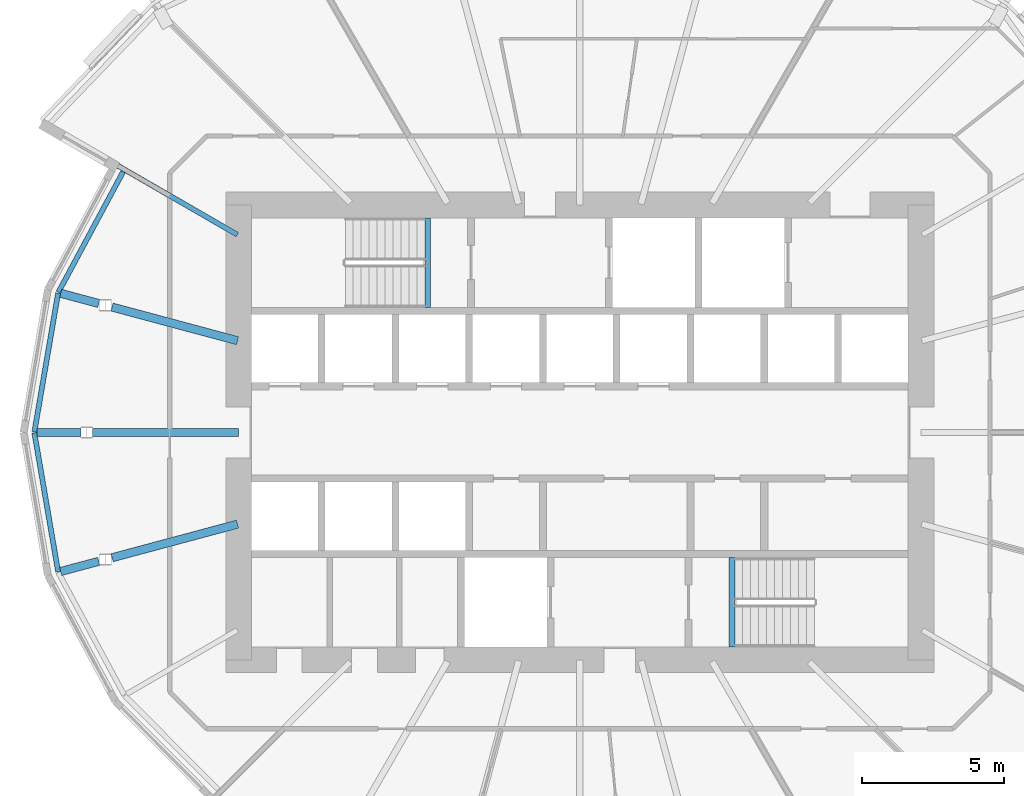
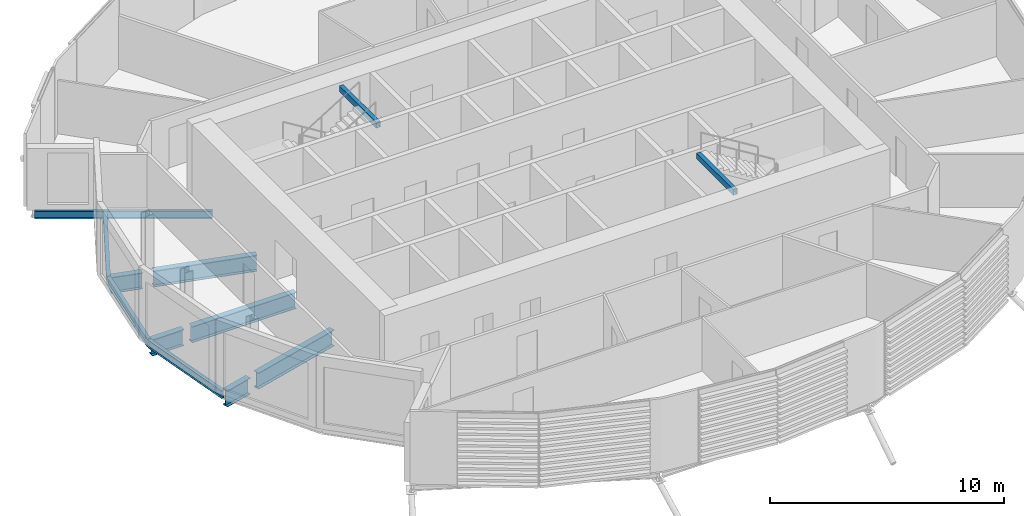
# One storey, part 5 of 37: 12 beams.
"""IFC4 building model written with IfcOpenShell, lengths in metres."""

import ifcopenshell
import ifcopenshell.guid

model = None  # the IFC model being written
_history = None  # IfcOwnerHistory: only IFC2X3 demands one
_inside = {}  # id of a spatial element -> (the spatial element, [elements in it])
_under = {}  # id of a project, library or spatial element -> (it, [spatial elements below it])
_declared = {}  # id of a project -> (the project, [libraries it declares])
_typed = {}  # id of a type object -> (the type object, [elements of that type])
_made_of = {}  # id of a material, layer set ... -> (it, [elements and type objects made of it])


def new_model(schema):
    """Start an empty IFC model of exactly this schema.

    Asked for "IFC4X3", IfcOpenShell would pick the latest addendum, in which some entities
    have other attributes; the version numbers below select the first issue.
    IFC2X3 requires an IfcOwnerHistory on every rooted entity: one is made here for all.
    """
    global model, _history
    if schema == "IFC4X3":
        model = ifcopenshell.file(schema_version=(4, 3, 0, 0))
    else:
        model = ifcopenshell.file(schema=schema)
    _inside.clear()
    _under.clear()
    _declared.clear()
    _typed.clear()
    _made_of.clear()
    _history = None
    if model.schema == "IFC2X3":
        org = make("IfcOrganization", Name="unknown")
        user = make(
            "IfcPersonAndOrganization",
            ThePerson=make("IfcPerson", FamilyName="unknown"),
            TheOrganization=org,
        )
        app = make(
            "IfcApplication",
            ApplicationDeveloper=org,
            Version="unknown",
            ApplicationFullName="unknown",
            ApplicationIdentifier="unknown",
        )
        _history = make(
            "IfcOwnerHistory",
            OwningUser=user,
            OwningApplication=app,
            ChangeAction="ADDED",
            CreationDate=0,
        )
    return model


def make(cls, **values):
    """One entity of the class cls with the attributes given. An attribute that is None is left unset."""
    return model.create_entity(
        cls, **{name: value for name, value in values.items() if value is not None}
    )


def rooted(cls, **values):
    """An entity with a GlobalId (a new one), such as an element, a storey or a relation."""
    return make(cls, GlobalId=ifcopenshell.guid.new(), OwnerHistory=_history, **values)


def si_unit(unit_type, name, prefix=None):
    """IfcSIUnit, for example si_unit("LENGTHUNIT", "METRE", prefix="MILLI")."""
    return make("IfcSIUnit", UnitType=unit_type, Prefix=prefix, Name=name)


def assignment(units):
    """IfcUnitAssignment: the units of a project."""
    return None if units is None else make("IfcUnitAssignment", Units=units)


def point(xyz):
    """IfcCartesianPoint."""
    return None if xyz is None else make("IfcCartesianPoint", Coordinates=xyz)


def direction(xyz):
    """IfcDirection."""
    return None if xyz is None else make("IfcDirection", DirectionRatios=xyz)


def frame(location, z_axis=None, x_axis=None):
    """IfcAxis2Placement3D, a coordinate frame: its origin and axes. An axis left out is left unset."""
    return make(
        "IfcAxis2Placement3D",
        Location=point(location),
        Axis=direction(z_axis),
        RefDirection=direction(x_axis),
    )


def frame_2d(location, x_axis=None):
    """IfcAxis2Placement2D, a coordinate frame in the plane: its origin and x axis."""
    return make(
        "IfcAxis2Placement2D", Location=point(location), RefDirection=direction(x_axis)
    )


def origin():
    """The frame at (0, 0, 0) with its axes left unset."""
    return frame((0.0, 0.0, 0.0))


def origin_2d():
    """The frame at (0, 0) in the plane with its x axis left unset."""
    return frame_2d((0.0, 0.0))


def place(relative_to, where):
    """IfcLocalPlacement: puts the frame where relative to a parent placement (None: the world)."""
    return make(
        "IfcLocalPlacement", PlacementRelTo=relative_to, RelativePlacement=where
    )


def context(
    kind, dimensions, precision=None, world=None, true_north=None, identifier=None
):
    """IfcGeometricRepresentationContext, for example the 3D "Model" context."""
    return make(
        "IfcGeometricRepresentationContext",
        ContextIdentifier=identifier,
        ContextType=kind,
        CoordinateSpaceDimension=dimensions,
        Precision=precision,
        WorldCoordinateSystem=world,
        TrueNorth=true_north,
    )


def subcontext(parent, identifier, kind, view, scale=None):
    """IfcGeometricRepresentationSubContext, for example "Body" below "Model"."""
    return make(
        "IfcGeometricRepresentationSubContext",
        ContextIdentifier=identifier,
        ContextType=kind,
        ParentContext=parent,
        TargetScale=scale,
        TargetView=view,
    )


def project(units=None, contexts=None):
    """IfcProject with its units and contexts."""
    return rooted(
        "IfcProject",
        Name="project",
        RepresentationContexts=contexts,
        UnitsInContext=assignment(units),
    )


def spatial(cls, under=None, at=None, **own):
    """A site, building, storey or space (cls), placed at a placement, below another one or the project."""
    s = rooted(cls, ObjectPlacement=at, **own)
    if under is not None:
        _under.setdefault(under.id(), (under, []))[1].append(s)
    return s


def profile(cls, at=None, kind="AREA", **sizes):
    """A parametric profile (cls). Its sizes go by their IFC names, for example OverallWidth=200.0."""
    return make(cls, ProfileType=kind, Position=at, **sizes)


def hollow_rectangle(**sizes):
    """IfcRectangleHollowProfileDef."""
    return profile("IfcRectangleHollowProfileDef", **sizes)


def i_section(**sizes):
    """IfcIShapeProfileDef."""
    return profile("IfcIShapeProfileDef", **sizes)


def extrude(swept, where, along, depth):
    """IfcExtrudedAreaSolid: the profile swept, set in the frame where, extruded along a direction by depth."""
    return make(
        "IfcExtrudedAreaSolid",
        SweptArea=swept,
        Position=where,
        ExtrudedDirection=direction(along),
        Depth=depth,
    )


def shape(context_of_items, identifier, shape_type, items):
    """IfcShapeRepresentation: the items that make up one representation, for example the "Body"."""
    return make(
        "IfcShapeRepresentation",
        ContextOfItems=context_of_items,
        RepresentationIdentifier=identifier,
        RepresentationType=shape_type,
        Items=items,
    )


def material(Name=None, Category=None):
    """IfcMaterial."""
    return make("IfcMaterial", Name=Name, Category=Category)


def material_profile(
    of_material, cross_section, Name=None, Category=None, Priority=None
):
    """IfcMaterialProfile: a cross section and its material."""
    return make(
        "IfcMaterialProfile",
        Name=Name,
        Material=of_material,
        Profile=cross_section,
        Priority=Priority,
        Category=Category,
    )


def profile_set(profiles, Name=None, composite=None):
    """IfcMaterialProfileSet."""
    return make(
        "IfcMaterialProfileSet",
        Name=Name,
        MaterialProfiles=profiles,
        CompositeProfile=composite,
    )


def made_of(thing, what):
    """Note that an element or type object is made of a material, layer set ...; save() writes the relation."""
    if what is not None:
        _made_of.setdefault(what.id(), (what, []))[1].append(thing)
    return thing


def type_object(cls, material=None, **own):
    """A type object (cls), such as IfcWallType, which elements share."""
    return made_of(rooted(cls, **own), material)


def element(
    cls,
    number,
    at=None,
    inside=None,
    cuts=None,
    type_object=None,
    material=None,
    context=None,
    identifier="Body",
    shape_type=None,
    held_by="IfcProductDefinitionShape",
    body=None,
    shapes=None,
    **own,
):
    """One element of the class cls, such as IfcWall. Its Tag is "e" and its number.

    at: its placement. inside: the storey or other place that contains it. cuts: it is an
    opening in that element (IfcRelVoidsElement). A single representation is given by context,
    identifier, shape_type and body (its items); several are given by shapes. held_by: the class
    of the entity that holds the representations. save() writes the other relations.
    """
    e = rooted(cls, Tag="e%d" % number, ObjectPlacement=at, **own)
    if body is not None:
        shapes = [shape(context, identifier, shape_type, body)]
    if shapes is not None:
        e.Representation = make(held_by, Representations=shapes)
    if inside is not None:
        _inside.setdefault(inside.id(), (inside, []))[1].append(e)
    if cuts is not None:
        rooted(
            "IfcRelVoidsElement", RelatingBuildingElement=cuts, RelatedOpeningElement=e
        )
    if type_object is not None:
        _typed.setdefault(type_object.id(), (type_object, []))[1].append(e)
    return made_of(e, material)


def aggregate(whole, parts):
    """IfcRelAggregates: a whole, such as a stair, and the parts it consists of."""
    return rooted("IfcRelAggregates", RelatingObject=whole, RelatedObjects=parts)


def save(model, path):
    """Write the relations noted so far, then the file.

    IfcRelAggregates (storeys below a building ...), IfcRelContainedInSpatialStructure (elements
    in a storey), IfcRelDefinesByType, IfcRelAssociatesMaterial and IfcRelDeclares: one each for
    every whole, place, type object, material and project.
    """
    for whole, parts in _under.values():
        aggregate(whole, parts)
    for where, things in _inside.values():
        rooted(
            "IfcRelContainedInSpatialStructure",
            RelatedElements=things,
            RelatingStructure=where,
        )
    for kind, things in _typed.values():
        rooted("IfcRelDefinesByType", RelatedObjects=things, RelatingType=kind)
    for what, things in _made_of.values():
        rooted("IfcRelAssociatesMaterial", RelatedObjects=things, RelatingMaterial=what)
    for by, libraries in _declared.values():
        rooted("IfcRelDeclares", RelatingContext=by, RelatedDefinitions=libraries)
    model.write(path)


model = new_model("IFC4")

# Units and contexts
model_context = context("Model", 3, precision=1e-05, world=origin(), true_north=direction((0.0, 1.0)))
body_context = subcontext(model_context, "Body", "Model", "MODEL_VIEW")
ifc_project = project(units=[si_unit("LENGTHUNIT", "METRE"), si_unit("AREAUNIT", "SQUARE_METRE"), si_unit("VOLUMEUNIT", "CUBIC_METRE"), si_unit("PLANEANGLEUNIT", "RADIAN"), si_unit("MASSUNIT", "GRAM", prefix="KILO")], contexts=[model_context])

# Site, building, storey
site_placement = place(None, origin())
site = spatial("IfcSite", under=ifc_project, at=site_placement, CompositionType="ELEMENT")
building_placement = place(site_placement, origin())
building = spatial("IfcBuilding", under=site, at=building_placement, Name="Rimbun Link Towers", CompositionType="ELEMENT")
storey_placement = place(building_placement, frame((0.0, 0.0, 45.199951171875)))
storey = spatial("IfcBuildingStorey", under=building, at=storey_placement, Name="L10", CompositionType="ELEMENT", Elevation=45.199951171875)

# Beams
ifc_material_1 = material(Name="Steel S355J2", Category="steel")
ifc_material_profile_1 = material_profile(ifc_material_1, hollow_rectangle(XDim=0.199951171875, YDim=0.300048828125, WallThickness=0.011962890625, at=origin_2d()), Name="BOX 300x200x12")
ifc_profile_set_1 = profile_set([ifc_material_profile_1], Name="Steel S355J2")
beam_type_1 = type_object("IfcBeamType", Name="Stair trimmer beam BOX 300x200x12", PredefinedType="BEAM", material=ifc_profile_set_1)
for number, where, z_axis, x_axis, name in (
    (1, (-37.10009765625, 7.550048828125, 3.489990234375), (0.0, -1.0, 0.0), (1.0, 0.0, 0.0), "L10 ST1 stair beam 1"),
    (2, (-26.39990234375, -7.550048828125, 3.489990234375), (0.0, 1.0, 0.0), (-1.0, 0.0, 0.0), "L10 ST2 stair beam 1"),
):
    element("IfcBeam", number, at=place(storey_placement, frame(where, z_axis=z_axis, x_axis=x_axis)), inside=storey, type_object=beam_type_1, Name=name, PredefinedType="BEAM", context=body_context, shape_type="SweptSolid", body=[
        extrude(hollow_rectangle(XDim=0.199951171875, YDim=0.300048828125, WallThickness=0.011962890625, at=origin_2d()), origin(), (0.0, 0.0, 1.0), 3.150146484375),
    ])
ifc_material_2 = material(Name="Steel S355J2", Category="steel")
ifc_material_profile_2 = material_profile(ifc_material_2, i_section(OverallWidth=0.177978515625, OverallDepth=0.406494140625, WebThickness=0.0078125, FlangeThickness=0.0126953125, at=origin_2d()), Name="UB 406x178x60")
ifc_profile_set_2 = profile_set([ifc_material_profile_2], Name="Steel S355J2")
beam_type_2 = type_object("IfcBeamType", Name="UB 406x178x60", PredefinedType="BEAM", material=ifc_profile_set_2)
beam_1_placement = place(storey_placement, frame((-43.79541015625, 6.954345703125, -0.363037109375), z_axis=(-0.866024000778, 0.50000243007, 0.0), x_axis=(-0.50000243007, -0.866024000778, 0.0)))
element("IfcBeam", 3, at=beam_1_placement, inside=storey, type_object=beam_type_2, Name="Radial beam T1 L10 10", PredefinedType="BEAM", context=body_context, shape_type="SweptSolid", body=[
    extrude(i_section(OverallWidth=0.177978515625, OverallDepth=0.406494140625, WebThickness=0.0078125, FlangeThickness=0.0126953125, at=origin_2d()), origin(), (0.0, 0.0, 1.0), 7.5986328125),
])
beam_2_placement = place(storey_placement, frame((-47.814208984375, 9.167724609375, -0.363037109375), z_axis=(-0.473249180434, -0.880928608469, 0.0), x_axis=(0.880928608469, -0.473249180434, 0.0)))
element("IfcBeam", 4, at=beam_2_placement, inside=storey, type_object=beam_type_2, Name="Edge beam T1 L10 10 recess", PredefinedType="BEAM", context=body_context, shape_type="SweptSolid", body=[
    extrude(i_section(OverallWidth=0.177978515625, OverallDepth=0.406494140625, WebThickness=0.0078125, FlangeThickness=0.0126953125, at=origin_2d()), origin(), (0.0, 0.0, 1.0), 4.810546875),
])
for number, where, z_axis, x_axis, name in (
    (5, (-50.1005859375, 4.901123046875, -0.363037109375), (-0.168479758533, -0.985705113594, 0.0), (0.985705113594, -0.168479758533, 0.0), "Edge beam T1 L10 11 recess"),
    (6, (-50.935546875, -0.01611328125, -0.363037109375), (0.168479758533, -0.985705113594, 0.0), (0.985705113594, 0.168479758533, 0.0), "Edge beam T1 L10 12 recess"),
):
    element("IfcBeam", number, at=place(storey_placement, frame(where, z_axis=z_axis, x_axis=x_axis)), inside=storey, type_object=beam_type_2, Name=name, PredefinedType="BEAM", context=body_context, shape_type="SweptSolid", body=[
        extrude(i_section(OverallWidth=0.177978515625, OverallDepth=0.406494140625, WebThickness=0.0078125, FlangeThickness=0.0126953125, at=origin_2d()), origin(), (0.0, 0.0, 1.0), 4.955810546875),
    ])
ifc_material_3 = material(Name="Steel S355J2", Category="steel")
ifc_material_profile_3 = material_profile(ifc_material_3, i_section(OverallWidth=0.29248046875, OverallDepth=0.8408203125, WebThickness=0.0126953125, FlangeThickness=0.021728515625, at=origin_2d()), Name="UB 838x292x194")
ifc_profile_set_3 = profile_set([ifc_material_profile_3], Name="Steel S355J2")
beam_type_3 = type_object("IfcBeamType", Name="UB 838x292x194", PredefinedType="BEAM", material=ifc_profile_set_3)
beam_3_placement = place(storey_placement, frame((-43.788818359375, 3.225830078125, -0.580322265625), z_axis=(-0.965925632612, 0.258819767915, 0.0), x_axis=(-0.258819767915, -0.965925632612, 0.0)))
element("IfcBeam", 7, at=beam_3_placement, inside=storey, type_object=beam_type_3, Name="Radial beam T1 L10 11", PredefinedType="BEAM", context=body_context, shape_type="SweptSolid", body=[
    extrude(i_section(OverallWidth=0.29248046875, OverallDepth=0.8408203125, WebThickness=0.0126953125, FlangeThickness=0.021728515625, at=origin_2d()), origin(), (0.0, 0.0, 1.0), 4.5693359375),
])
beam_4_placement = place(storey_placement, frame((-43.7509765625, 0.0, -0.580322265625), z_axis=(-1.0, 0.0, 0.0), x_axis=(0.0, -1.0, 0.0)))
element("IfcBeam", 8, at=beam_4_placement, inside=storey, type_object=beam_type_3, Name="Radial beam T1 L10 12", PredefinedType="BEAM", context=body_context, shape_type="SweptSolid", body=[
    extrude(i_section(OverallWidth=0.29248046875, OverallDepth=0.8408203125, WebThickness=0.0126953125, FlangeThickness=0.021728515625, at=origin_2d()), origin(), (0.0, 0.0, 1.0), 5.137939453125),
])
beam_5_placement = place(storey_placement, frame((-43.788818359375, -3.225830078125, -0.580322265625), z_axis=(-0.965925632612, -0.258819767915, 0.0), x_axis=(0.258819767915, -0.965925632612, 0.0)))
element("IfcBeam", 9, at=beam_5_placement, inside=storey, type_object=beam_type_3, Name="Radial beam T1 L10 13", PredefinedType="BEAM", context=body_context, shape_type="SweptSolid", body=[
    extrude(i_section(OverallWidth=0.29248046875, OverallDepth=0.8408203125, WebThickness=0.0126953125, FlangeThickness=0.021728515625, at=origin_2d()), origin(), (0.0, 0.0, 1.0), 4.5693359375),
])
beam_6_placement = place(storey_placement, frame((-48.673828125, 4.53466796875, -0.580322265625), z_axis=(-0.96590632408, 0.258891817373, 0.0), x_axis=(-0.258891817373, -0.96590632408, 0.0)))
element("IfcBeam", 10, at=beam_6_placement, inside=storey, type_object=beam_type_3, Name="Radial beam T1 L10 11 outer cantilever", PredefinedType="BEAM", context=body_context, shape_type="SweptSolid", body=[
    extrude(i_section(OverallWidth=0.29248046875, OverallDepth=0.8408203125, WebThickness=0.0126953125, FlangeThickness=0.021728515625, at=origin_2d()), origin(), (0.0, 0.0, 1.0), 1.38427734375),
])
beam_7_placement = place(storey_placement, frame((-49.288818359375, 0.0, -0.580322265625), z_axis=(-1.0, 0.0, 0.0), x_axis=(0.0, -1.0, 0.0)))
element("IfcBeam", 11, at=beam_7_placement, inside=storey, type_object=beam_type_3, Name="Radial beam T1 L10 12 outer cantilever", PredefinedType="BEAM", context=body_context, shape_type="SweptSolid", body=[
    extrude(i_section(OverallWidth=0.29248046875, OverallDepth=0.8408203125, WebThickness=0.0126953125, FlangeThickness=0.021728515625, at=origin_2d()), origin(), (0.0, 0.0, 1.0), 1.5595703125),
])
beam_8_placement = place(storey_placement, frame((-48.673828125, -4.53466796875, -0.580322265625), z_axis=(-0.96590632408, -0.258891817373, 0.0), x_axis=(0.258891817373, -0.96590632408, 0.0)))
element("IfcBeam", 12, at=beam_8_placement, inside=storey, type_object=beam_type_3, Name="Radial beam T1 L10 13 outer cantilever", PredefinedType="BEAM", context=body_context, shape_type="SweptSolid", body=[
    extrude(i_section(OverallWidth=0.29248046875, OverallDepth=0.8408203125, WebThickness=0.0126953125, FlangeThickness=0.021728515625, at=origin_2d()), origin(), (0.0, 0.0, 1.0), 1.38427734375),
])

save(model, "model.ifc")
